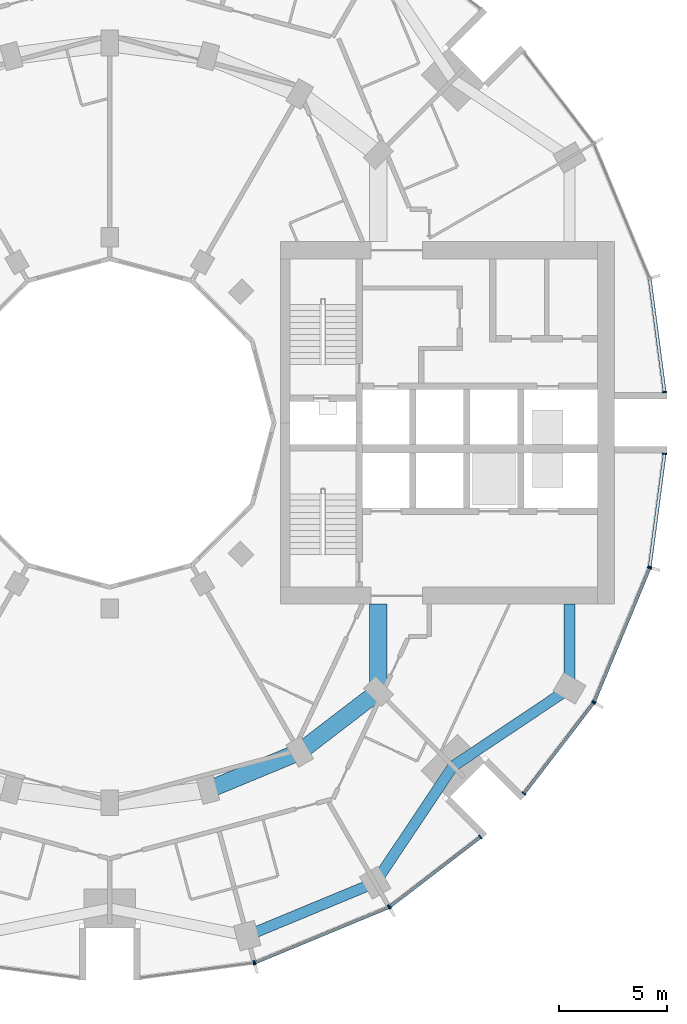
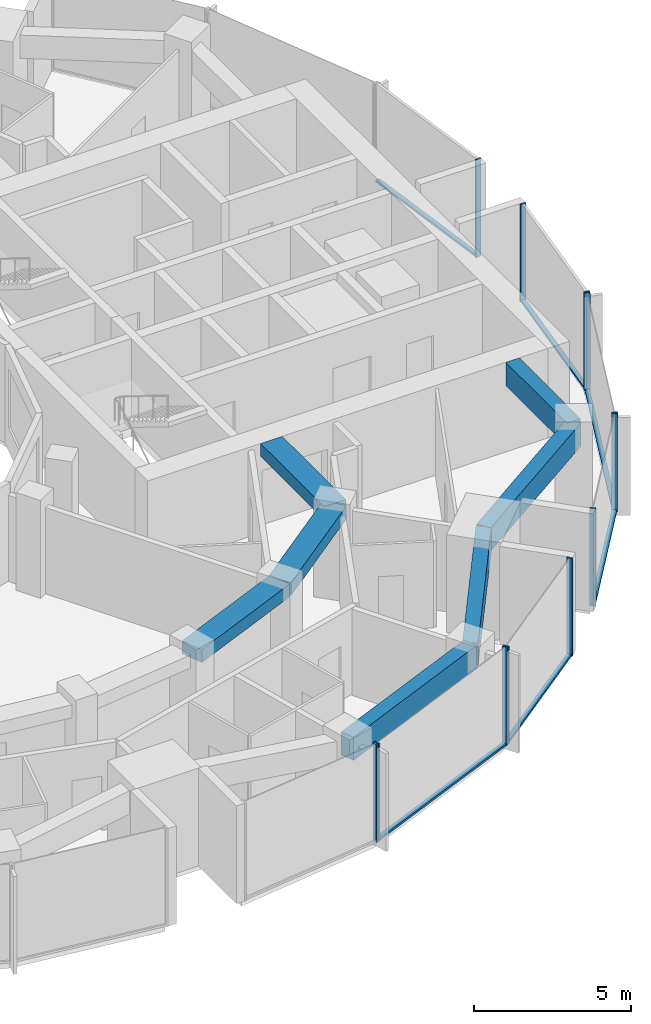
# One storey, part 4 of 15: 18 members, 7 beams, 7 elements without a shape of their own.
"""IFC4 building model written with IfcOpenShell, lengths in metres."""

import ifcopenshell
import ifcopenshell.guid

model = None  # the IFC model being written
_history = None  # IfcOwnerHistory: only IFC2X3 demands one
_inside = {}  # id of a spatial element -> (the spatial element, [elements in it])
_under = {}  # id of a project, library or spatial element -> (it, [spatial elements below it])
_declared = {}  # id of a project -> (the project, [libraries it declares])
_typed = {}  # id of a type object -> (the type object, [elements of that type])
_made_of = {}  # id of a material, layer set ... -> (it, [elements and type objects made of it])


def new_model(schema):
    """Start an empty IFC model of exactly this schema.

    Asked for "IFC4X3", IfcOpenShell would pick the latest addendum, in which some entities
    have other attributes; the version numbers below select the first issue.
    IFC2X3 requires an IfcOwnerHistory on every rooted entity: one is made here for all.
    """
    global model, _history
    if schema == "IFC4X3":
        model = ifcopenshell.file(schema_version=(4, 3, 0, 0))
    else:
        model = ifcopenshell.file(schema=schema)
    _inside.clear()
    _under.clear()
    _declared.clear()
    _typed.clear()
    _made_of.clear()
    _history = None
    if model.schema == "IFC2X3":
        org = make("IfcOrganization", Name="unknown")
        user = make(
            "IfcPersonAndOrganization",
            ThePerson=make("IfcPerson", FamilyName="unknown"),
            TheOrganization=org,
        )
        app = make(
            "IfcApplication",
            ApplicationDeveloper=org,
            Version="unknown",
            ApplicationFullName="unknown",
            ApplicationIdentifier="unknown",
        )
        _history = make(
            "IfcOwnerHistory",
            OwningUser=user,
            OwningApplication=app,
            ChangeAction="ADDED",
            CreationDate=0,
        )
    return model


def make(cls, **values):
    """One entity of the class cls with the attributes given. An attribute that is None is left unset."""
    return model.create_entity(
        cls, **{name: value for name, value in values.items() if value is not None}
    )


def rooted(cls, **values):
    """An entity with a GlobalId (a new one), such as an element, a storey or a relation."""
    return make(cls, GlobalId=ifcopenshell.guid.new(), OwnerHistory=_history, **values)


def si_unit(unit_type, name, prefix=None):
    """IfcSIUnit, for example si_unit("LENGTHUNIT", "METRE", prefix="MILLI")."""
    return make("IfcSIUnit", UnitType=unit_type, Prefix=prefix, Name=name)


def assignment(units):
    """IfcUnitAssignment: the units of a project."""
    return None if units is None else make("IfcUnitAssignment", Units=units)


def point(xyz):
    """IfcCartesianPoint."""
    return None if xyz is None else make("IfcCartesianPoint", Coordinates=xyz)


def direction(xyz):
    """IfcDirection."""
    return None if xyz is None else make("IfcDirection", DirectionRatios=xyz)


def frame(location, z_axis=None, x_axis=None):
    """IfcAxis2Placement3D, a coordinate frame: its origin and axes. An axis left out is left unset."""
    return make(
        "IfcAxis2Placement3D",
        Location=point(location),
        Axis=direction(z_axis),
        RefDirection=direction(x_axis),
    )


def frame_2d(location, x_axis=None):
    """IfcAxis2Placement2D, a coordinate frame in the plane: its origin and x axis."""
    return make(
        "IfcAxis2Placement2D", Location=point(location), RefDirection=direction(x_axis)
    )


def origin():
    """The frame at (0, 0, 0) with its axes left unset."""
    return frame((0.0, 0.0, 0.0))


def origin_2d():
    """The frame at (0, 0) in the plane with its x axis left unset."""
    return frame_2d((0.0, 0.0))


def place(relative_to, where):
    """IfcLocalPlacement: puts the frame where relative to a parent placement (None: the world)."""
    return make(
        "IfcLocalPlacement", PlacementRelTo=relative_to, RelativePlacement=where
    )


def context(
    kind, dimensions, precision=None, world=None, true_north=None, identifier=None
):
    """IfcGeometricRepresentationContext, for example the 3D "Model" context."""
    return make(
        "IfcGeometricRepresentationContext",
        ContextIdentifier=identifier,
        ContextType=kind,
        CoordinateSpaceDimension=dimensions,
        Precision=precision,
        WorldCoordinateSystem=world,
        TrueNorth=true_north,
    )


def subcontext(parent, identifier, kind, view, scale=None):
    """IfcGeometricRepresentationSubContext, for example "Body" below "Model"."""
    return make(
        "IfcGeometricRepresentationSubContext",
        ContextIdentifier=identifier,
        ContextType=kind,
        ParentContext=parent,
        TargetScale=scale,
        TargetView=view,
    )


def project(units=None, contexts=None):
    """IfcProject with its units and contexts."""
    return rooted(
        "IfcProject",
        Name="project",
        RepresentationContexts=contexts,
        UnitsInContext=assignment(units),
    )


def spatial(cls, under=None, at=None, **own):
    """A site, building, storey or space (cls), placed at a placement, below another one or the project."""
    s = rooted(cls, ObjectPlacement=at, **own)
    if under is not None:
        _under.setdefault(under.id(), (under, []))[1].append(s)
    return s


def profile(cls, at=None, kind="AREA", **sizes):
    """A parametric profile (cls). Its sizes go by their IFC names, for example OverallWidth=200.0."""
    return make(cls, ProfileType=kind, Position=at, **sizes)


def rectangle(**sizes):
    """IfcRectangleProfileDef."""
    return profile("IfcRectangleProfileDef", **sizes)


def extrude(swept, where, along, depth):
    """IfcExtrudedAreaSolid: the profile swept, set in the frame where, extruded along a direction by depth."""
    return make(
        "IfcExtrudedAreaSolid",
        SweptArea=swept,
        Position=where,
        ExtrudedDirection=direction(along),
        Depth=depth,
    )


def shape(context_of_items, identifier, shape_type, items):
    """IfcShapeRepresentation: the items that make up one representation, for example the "Body"."""
    return make(
        "IfcShapeRepresentation",
        ContextOfItems=context_of_items,
        RepresentationIdentifier=identifier,
        RepresentationType=shape_type,
        Items=items,
    )


def material(Name=None, Category=None):
    """IfcMaterial."""
    return make("IfcMaterial", Name=Name, Category=Category)


def layer(
    of_material, thickness, ventilated=None, Name=None, Category=None, Priority=None
):
    """IfcMaterialLayer: one layer of a wall or slab, of a material (None: an air gap)."""
    return make(
        "IfcMaterialLayer",
        Material=of_material,
        LayerThickness=thickness,
        IsVentilated=ventilated,
        Name=Name,
        Category=Category,
        Priority=Priority,
    )


def layer_set(layers, Name=None):
    """IfcMaterialLayerSet."""
    return make("IfcMaterialLayerSet", MaterialLayers=layers, LayerSetName=Name)


def material_profile(
    of_material, cross_section, Name=None, Category=None, Priority=None
):
    """IfcMaterialProfile: a cross section and its material."""
    return make(
        "IfcMaterialProfile",
        Name=Name,
        Material=of_material,
        Profile=cross_section,
        Priority=Priority,
        Category=Category,
    )


def profile_set(profiles, Name=None, composite=None):
    """IfcMaterialProfileSet."""
    return make(
        "IfcMaterialProfileSet",
        Name=Name,
        MaterialProfiles=profiles,
        CompositeProfile=composite,
    )


def made_of(thing, what):
    """Note that an element or type object is made of a material, layer set ...; save() writes the relation."""
    if what is not None:
        _made_of.setdefault(what.id(), (what, []))[1].append(thing)
    return thing


def type_object(cls, material=None, **own):
    """A type object (cls), such as IfcWallType, which elements share."""
    return made_of(rooted(cls, **own), material)


def element(
    cls,
    number,
    at=None,
    inside=None,
    cuts=None,
    type_object=None,
    material=None,
    context=None,
    identifier="Body",
    shape_type=None,
    held_by="IfcProductDefinitionShape",
    body=None,
    shapes=None,
    **own,
):
    """One element of the class cls, such as IfcWall. Its Tag is "e" and its number.

    at: its placement. inside: the storey or other place that contains it. cuts: it is an
    opening in that element (IfcRelVoidsElement). A single representation is given by context,
    identifier, shape_type and body (its items); several are given by shapes. held_by: the class
    of the entity that holds the representations. save() writes the other relations.
    """
    e = rooted(cls, Tag="e%d" % number, ObjectPlacement=at, **own)
    if body is not None:
        shapes = [shape(context, identifier, shape_type, body)]
    if shapes is not None:
        e.Representation = make(held_by, Representations=shapes)
    if inside is not None:
        _inside.setdefault(inside.id(), (inside, []))[1].append(e)
    if cuts is not None:
        rooted(
            "IfcRelVoidsElement", RelatingBuildingElement=cuts, RelatedOpeningElement=e
        )
    if type_object is not None:
        _typed.setdefault(type_object.id(), (type_object, []))[1].append(e)
    return made_of(e, material)


def aggregate(whole, parts):
    """IfcRelAggregates: a whole, such as a stair, and the parts it consists of."""
    return rooted("IfcRelAggregates", RelatingObject=whole, RelatedObjects=parts)


def save(model, path):
    """Write the relations noted so far, then the file.

    IfcRelAggregates (storeys below a building ...), IfcRelContainedInSpatialStructure (elements
    in a storey), IfcRelDefinesByType, IfcRelAssociatesMaterial and IfcRelDeclares: one each for
    every whole, place, type object, material and project.
    """
    for whole, parts in _under.values():
        aggregate(whole, parts)
    for where, things in _inside.values():
        rooted(
            "IfcRelContainedInSpatialStructure",
            RelatedElements=things,
            RelatingStructure=where,
        )
    for kind, things in _typed.values():
        rooted("IfcRelDefinesByType", RelatedObjects=things, RelatingType=kind)
    for what, things in _made_of.values():
        rooted("IfcRelAssociatesMaterial", RelatedObjects=things, RelatingMaterial=what)
    for by, libraries in _declared.values():
        rooted("IfcRelDeclares", RelatingContext=by, RelatedDefinitions=libraries)
    model.write(path)


model = new_model("IFC4")

# Units and contexts
model_context = context("Model", 3, precision=1e-05, world=origin(), true_north=direction((0.0, 1.0)))
body_context = subcontext(model_context, "Body", "Model", "MODEL_VIEW")
ifc_project = project(units=[si_unit("LENGTHUNIT", "METRE"), si_unit("AREAUNIT", "SQUARE_METRE"), si_unit("VOLUMEUNIT", "CUBIC_METRE"), si_unit("PLANEANGLEUNIT", "RADIAN"), si_unit("MASSUNIT", "GRAM", prefix="KILO")], contexts=[model_context])

# Site, building, storey
site_placement = place(None, origin())
site = spatial("IfcSite", under=ifc_project, at=site_placement, CompositionType="ELEMENT")
building_placement = place(site_placement, origin())
building = spatial("IfcBuilding", under=site, at=building_placement, Name="Torre Brocal", CompositionType="ELEMENT")
storey_placement = place(building_placement, frame((0.0, 0.0, 86.199951171875)))
storey = spatial("IfcBuildingStorey", under=building, at=storey_placement, Name="L19", CompositionType="ELEMENT", Elevation=86.199951171875)

# Curtain wall, member
ifc_material_1 = material(Name="Aluminium and glass", Category="aluminium")
ifc_layer_1 = layer(ifc_material_1, 0.199951171875)
ifc_layer_set_1 = layer_set([ifc_layer_1], Name="Aluminium and glass")
curtain_wall_type_1 = type_object("IfcCurtainWallType", Name="CW-1 CURTAIN WALL 3800 HIGH", PredefinedType="NOTDEFINED", material=ifc_layer_set_1)
curtain_wall_1_placement = place(storey_placement, origin())
curtain_wall_1 = element("IfcCurtainWall", 1, at=curtain_wall_1_placement, inside=storey, type_object=curtain_wall_type_1, Name="CW-1 RUN 19", PredefinedType="NOTDEFINED")
ifc_material_2 = material(Name="Aluminium, dark anodised", Category="aluminium")
ifc_material_profile_1 = material_profile(ifc_material_2, rectangle(XDim=0.199951171875, YDim=0.06005859375, at=origin_2d()), Name="CW-1 MULLION 60X200")
ifc_profile_set_1 = profile_set([ifc_material_profile_1], Name="Aluminium, dark anodised")
member_type_1 = type_object("IfcMemberType", Name="CW-1 MULLION 60X200", PredefinedType="MULLION", material=ifc_profile_set_1)
member_1_placement = place(storey_placement, frame((86.67333984375, 49.9794921875, 0.0), z_axis=(0.0, 0.0, 1.0), x_axis=(-0.13052619222, 0.991444861374, 0.0)))
member_1 = element("IfcMember", 2, at=member_1_placement, type_object=member_type_1, Name="CW1-1 mullion 2", PredefinedType="MULLION", context=body_context, shape_type="SweptSolid", body=[
    extrude(rectangle(XDim=0.199951171875, YDim=0.06005859375, at=origin_2d()), origin(), (0.0, 0.0, 1.0), 3.800048828125),
])
aggregate(curtain_wall_1, [member_1])

# Curtain wall, members
curtain_wall_2_placement = place(storey_placement, origin())
curtain_wall_2 = element("IfcCurtainWall", 3, at=curtain_wall_2_placement, inside=storey, type_object=curtain_wall_type_1, Name="CW-1 RUN 20", PredefinedType="NOTDEFINED")
member_2_placement = place(storey_placement, frame((86.73095703125, 49.994873046875, 0.0), z_axis=(0.0, 0.0, 1.0), x_axis=(-0.382683432333, 0.923879532525, 0.0)))
member_2 = element("IfcMember", 4, at=member_2_placement, type_object=member_type_1, Name="CW1-1 mullion 1", PredefinedType="MULLION", context=body_context, shape_type="SweptSolid", body=[
    extrude(rectangle(XDim=0.199951171875, YDim=0.06005859375, at=origin_2d()), origin(), (0.0, 0.0, 1.0), 3.800048828125),
])
member_3_placement = place(storey_placement, frame((92.921875, 52.559326171875, 0.0), z_axis=(0.0, 0.0, 1.0), x_axis=(-0.382683432333, 0.923879532525, 0.0)))
member_3 = element("IfcMember", 5, at=member_3_placement, type_object=member_type_1, Name="CW1-1 mullion 2", PredefinedType="MULLION", context=body_context, shape_type="SweptSolid", body=[
    extrude(rectangle(XDim=0.199951171875, YDim=0.06005859375, at=origin_2d()), origin(), (0.0, 0.0, 1.0), 3.800048828125),
])

curtain_wall_3_placement = place(storey_placement, origin())
curtain_wall_3 = element("IfcCurtainWall", 6, at=curtain_wall_3_placement, inside=storey, type_object=curtain_wall_type_1, Name="CW-1 RUN 21", PredefinedType="NOTDEFINED")
member_4_placement = place(storey_placement, frame((92.973388671875, 52.5888671875, 0.0), z_axis=(0.0, 0.0, 1.0), x_axis=(-0.60876142905, 0.793353340259, 0.0)))
member_4 = element("IfcMember", 7, at=member_4_placement, type_object=member_type_1, Name="CW1-1 mullion 1", PredefinedType="MULLION", context=body_context, shape_type="SweptSolid", body=[
    extrude(rectangle(XDim=0.199951171875, YDim=0.06005859375, at=origin_2d()), origin(), (0.0, 0.0, 1.0), 3.800048828125),
])
member_5_placement = place(storey_placement, frame((97.16943359375, 55.80859375, 0.0), z_axis=(0.0, 0.0, 1.0), x_axis=(-0.60876142905, 0.793353340259, 0.0)))
member_5 = element("IfcMember", 8, at=member_5_placement, type_object=member_type_1, Name="CW1-1 mullion 2", PredefinedType="MULLION", context=body_context, shape_type="SweptSolid", body=[
    extrude(rectangle(XDim=0.199951171875, YDim=0.06005859375, at=origin_2d()), origin(), (0.0, 0.0, 1.0), 3.800048828125),
])

curtain_wall_4_placement = place(storey_placement, origin())
curtain_wall_4 = element("IfcCurtainWall", 9, at=curtain_wall_4_placement, inside=storey, type_object=curtain_wall_type_1, Name="CW-1 RUN 22", PredefinedType="NOTDEFINED")
member_6_placement = place(storey_placement, frame((99.19140625, 57.83056640625, 0.0), z_axis=(0.0, 0.0, 1.0), x_axis=(-0.793353340259, 0.60876142905, 0.0)))
member_6 = element("IfcMember", 10, at=member_6_placement, type_object=member_type_1, Name="CW1-1 mullion 1", PredefinedType="MULLION", context=body_context, shape_type="SweptSolid", body=[
    extrude(rectangle(XDim=0.199951171875, YDim=0.06005859375, at=origin_2d()), origin(), (0.0, 0.0, 1.0), 3.800048828125),
])
member_7_placement = place(storey_placement, frame((102.4111328125, 62.026611328125, 0.0), z_axis=(0.0, 0.0, 1.0), x_axis=(-0.793353340259, 0.60876142905, 0.0)))
member_7 = element("IfcMember", 11, at=member_7_placement, type_object=member_type_1, Name="CW1-1 mullion 2", PredefinedType="MULLION", context=body_context, shape_type="SweptSolid", body=[
    extrude(rectangle(XDim=0.199951171875, YDim=0.06005859375, at=origin_2d()), origin(), (0.0, 0.0, 1.0), 3.800048828125),
])

curtain_wall_5_placement = place(storey_placement, origin())
curtain_wall_5 = element("IfcCurtainWall", 12, at=curtain_wall_5_placement, inside=storey, type_object=curtain_wall_type_1, Name="CW-1 RUN 23", PredefinedType="NOTDEFINED")
member_8_placement = place(storey_placement, frame((102.440673828125, 62.078125, 0.0), z_axis=(0.0, 0.0, 1.0), x_axis=(-0.923879532525, 0.382683432333, 0.0)))
member_8 = element("IfcMember", 13, at=member_8_placement, type_object=member_type_1, Name="CW1-1 mullion 1", PredefinedType="MULLION", context=body_context, shape_type="SweptSolid", body=[
    extrude(rectangle(XDim=0.199951171875, YDim=0.06005859375, at=origin_2d()), origin(), (0.0, 0.0, 1.0), 3.800048828125),
])
member_9_placement = place(storey_placement, frame((105.005126953125, 68.26904296875, 0.0), z_axis=(0.0, 0.0, 1.0), x_axis=(-0.923879532525, 0.382683432333, 0.0)))
member_9 = element("IfcMember", 14, at=member_9_placement, type_object=member_type_1, Name="CW1-1 mullion 2", PredefinedType="MULLION", context=body_context, shape_type="SweptSolid", body=[
    extrude(rectangle(XDim=0.199951171875, YDim=0.06005859375, at=origin_2d()), origin(), (0.0, 0.0, 1.0), 3.800048828125),
])

# Member
ifc_material_3 = material(Name="Aluminium, dark anodised", Category="aluminium")
ifc_material_profile_2 = material_profile(ifc_material_3, rectangle(XDim=0.159912109375, YDim=0.080078125, at=origin_2d()), Name="CW-1 TRANSOM 160X80")
ifc_profile_set_2 = profile_set([ifc_material_profile_2], Name="Aluminium, dark anodised")
member_type_2 = type_object("IfcMemberType", Name="CW-1 TRANSOM 160X80", PredefinedType="USERDEFINED", material=ifc_profile_set_2)
member_10_placement = place(storey_placement, frame((86.758544921875, 50.00634765625, 0.0400390625), z_axis=(0.923887344364, 0.38266457234, 0.0), x_axis=(-0.38266457234, 0.923887344364, 0.0)))
member_10 = element("IfcMember", 15, at=member_10_placement, type_object=member_type_2, Name="CW1-1 transom 1.1", ObjectType="TRANSOM", PredefinedType="USERDEFINED", context=body_context, shape_type="SweptSolid", body=[
    extrude(rectangle(XDim=0.159912109375, YDim=0.080078125, at=origin_2d()), origin(), (0.0, 0.0, 1.0), 6.640869140625),
])

aggregate(curtain_wall_2, [member_2, member_3, member_10])

member_11_placement = place(storey_placement, frame((92.9970703125, 52.607177734375, 0.0400390625), z_axis=(0.79336281513, 0.60874908096, 0.0), x_axis=(-0.60874908096, 0.79336281513, 0.0)))
member_11 = element("IfcMember", 16, at=member_11_placement, type_object=member_type_2, Name="CW1-1 transom 1.1", ObjectType="TRANSOM", PredefinedType="USERDEFINED", context=body_context, shape_type="SweptSolid", body=[
    extrude(rectangle(XDim=0.159912109375, YDim=0.080078125, at=origin_2d()), origin(), (0.0, 0.0, 1.0), 5.22900390625),
])

aggregate(curtain_wall_3, [member_4, member_5, member_11])

member_12_placement = place(storey_placement, frame((99.209716796875, 57.8544921875, 0.0400390625), z_axis=(0.60874908096, 0.79336281513, 0.0), x_axis=(-0.79336281513, 0.60874908096, 0.0)))
member_12 = element("IfcMember", 17, at=member_12_placement, type_object=member_type_2, Name="CW1-1 transom 1.1", ObjectType="TRANSOM", PredefinedType="USERDEFINED", context=body_context, shape_type="SweptSolid", body=[
    extrude(rectangle(XDim=0.159912109375, YDim=0.080078125, at=origin_2d()), origin(), (0.0, 0.0, 1.0), 5.22900390625),
])

aggregate(curtain_wall_4, [member_6, member_7, member_12])

member_13_placement = place(storey_placement, frame((102.452392578125, 62.10595703125, 0.0400390625), z_axis=(0.38266457234, 0.923887344364, 0.0), x_axis=(-0.923887344364, 0.38266457234, 0.0)))
member_13 = element("IfcMember", 18, at=member_13_placement, type_object=member_type_2, Name="CW1-1 transom 1.1", ObjectType="TRANSOM", PredefinedType="USERDEFINED", context=body_context, shape_type="SweptSolid", body=[
    extrude(rectangle(XDim=0.159912109375, YDim=0.080078125, at=origin_2d()), origin(), (0.0, 0.0, 1.0), 6.640869140625),
])

aggregate(curtain_wall_5, [member_8, member_9, member_13])

# Curtain wall, member
ifc_material_4 = material(Name="Aluminium and glass", Category="aluminium")
ifc_layer_2 = layer(ifc_material_4, 0.199951171875)
ifc_layer_set_2 = layer_set([ifc_layer_2], Name="Aluminium and glass")
curtain_wall_type_2 = type_object("IfcCurtainWallType", Name="CW-1B CURTAIN WALL 3800 HIGH", PredefinedType="NOTDEFINED", material=ifc_layer_set_2)
curtain_wall_6_placement = place(storey_placement, origin())
curtain_wall_6 = element("IfcCurtainWall", 19, at=curtain_wall_6_placement, inside=storey, type_object=curtain_wall_type_2, Name="CW-1B RUN 1", PredefinedType="NOTDEFINED")
ifc_material_5 = material(Name="Aluminium, dark anodised", Category="aluminium")
ifc_material_profile_3 = material_profile(ifc_material_5, rectangle(XDim=0.199951171875, YDim=0.06005859375, at=origin_2d()), Name="CW-1B MULLION 60X200")
ifc_profile_set_3 = profile_set([ifc_material_profile_3], Name="Aluminium, dark anodised")
member_type_3 = type_object("IfcMemberType", Name="CW-1B MULLION 60X200", PredefinedType="MULLION", material=ifc_profile_set_3)
member_14_placement = place(storey_placement, frame((105.7109375, 76.4296875, 0.0), z_axis=(0.0, 0.0, 1.0), x_axis=(-0.991444861374, -0.13052619222, 0.0)))
member_14 = element("IfcMember", 20, at=member_14_placement, type_object=member_type_3, Name="CW1B-1 mullion 1", PredefinedType="MULLION", context=body_context, shape_type="SweptSolid", body=[
    extrude(rectangle(XDim=0.199951171875, YDim=0.06005859375, at=origin_2d()), origin(), (0.0, 0.0, 1.0), 3.800048828125),
])

# Curtain wall, members
curtain_wall_7_placement = place(storey_placement, origin())
curtain_wall_7 = element("IfcCurtainWall", 21, at=curtain_wall_7_placement, inside=storey, type_object=curtain_wall_type_2, Name="CW-1B RUN 24", PredefinedType="NOTDEFINED")
member_15_placement = place(storey_placement, frame((105.0205078125, 68.32666015625, 0.0), z_axis=(0.0, 0.0, 1.0), x_axis=(-0.991444861374, 0.13052619222, 0.0)))
member_15 = element("IfcMember", 22, at=member_15_placement, type_object=member_type_3, Name="CW1B-1 mullion 1", PredefinedType="MULLION", context=body_context, shape_type="SweptSolid", body=[
    extrude(rectangle(XDim=0.199951171875, YDim=0.06005859375, at=origin_2d()), origin(), (0.0, 0.0, 1.0), 3.800048828125),
])
member_16_placement = place(storey_placement, frame((105.7109375, 73.5703125, 0.0), z_axis=(0.0, 0.0, 1.0), x_axis=(-0.991444861374, 0.13052619222, 0.0)))
member_16 = element("IfcMember", 23, at=member_16_placement, type_object=member_type_3, Name="CW1B-1 mullion 2", PredefinedType="MULLION", context=body_context, shape_type="SweptSolid", body=[
    extrude(rectangle(XDim=0.199951171875, YDim=0.06005859375, at=origin_2d()), origin(), (0.0, 0.0, 1.0), 3.800048828125),
])

# Member
ifc_material_6 = material(Name="Aluminium, dark anodised", Category="aluminium")
ifc_material_profile_4 = material_profile(ifc_material_6, rectangle(XDim=0.159912109375, YDim=0.080078125, at=origin_2d()), Name="CW-1B TRANSOM 160X80")
ifc_profile_set_4 = profile_set([ifc_material_profile_4], Name="Aluminium, dark anodised")
member_type_4 = type_object("IfcMemberType", Name="CW-1B TRANSOM 160X80", PredefinedType="USERDEFINED", material=ifc_profile_set_4)
member_17_placement = place(storey_placement, frame((105.70703125, 76.45947265625, 0.0400390625), z_axis=(-0.130542677827, 0.991442690863, 0.0), x_axis=(-0.991442690863, -0.130542677827, 0.0)))
member_17 = element("IfcMember", 24, at=member_17_placement, type_object=member_type_4, Name="CW1B-1 transom 1.1", ObjectType="TRANSOM", PredefinedType="USERDEFINED", context=body_context, shape_type="SweptSolid", body=[
    extrude(rectangle(XDim=0.159912109375, YDim=0.080078125, at=origin_2d()), origin(), (0.0, 0.0, 1.0), 5.22900390625),
])

aggregate(curtain_wall_6, [member_14, member_17])

member_18_placement = place(storey_placement, frame((105.0244140625, 68.356201171875, 0.0400390625), z_axis=(0.130542677827, 0.991442690863, 0.0), x_axis=(-0.991442690863, 0.130542677827, 0.0)))
member_18 = element("IfcMember", 25, at=member_18_placement, type_object=member_type_4, Name="CW1B-1 transom 1.1", ObjectType="TRANSOM", PredefinedType="USERDEFINED", context=body_context, shape_type="SweptSolid", body=[
    extrude(rectangle(XDim=0.159912109375, YDim=0.080078125, at=origin_2d()), origin(), (0.0, 0.0, 1.0), 5.22900390625),
])

aggregate(curtain_wall_7, [member_15, member_16, member_18])

# Beams
ifc_material_7 = material(Name="Concrete C50", Category="concrete")
ifc_material_profile_5 = material_profile(ifc_material_7, rectangle(XDim=0.800048828125, YDim=0.5, at=origin_2d()), Name="RC 800X500")
ifc_profile_set_5 = profile_set([ifc_material_profile_5], Name="Concrete C50")
beam_type_1 = type_object("IfcBeamType", Name="RC BEAM 800X500 C50 TOP 3480", PredefinedType="BEAM", material=ifc_profile_set_5)
beam_1_placement = place(storey_placement, frame((84.55517578125, 57.999755859375, 3.22998046875), z_axis=(0.923878240166, 0.382686552348, 0.0), x_axis=(-0.382686552348, 0.923878240166, 0.0)))
element("IfcBeam", 26, at=beam_1_placement, inside=storey, type_object=beam_type_1, Name="Beam BT-19", PredefinedType="BEAM", context=body_context, shape_type="SweptSolid", body=[
    extrude(rectangle(XDim=0.800048828125, YDim=0.5, at=origin_2d()), origin(), (0.0, 0.0, 1.0), 4.5947265625),
])
beam_2_placement = place(storey_placement, frame((88.800048828125, 59.758056640625, 3.22998046875), z_axis=(0.793358265959, 0.6087550097, 0.0), x_axis=(-0.6087550097, 0.793358265959, 0.0)))
element("IfcBeam", 27, at=beam_2_placement, inside=storey, type_object=beam_type_1, Name="Beam BT-19", PredefinedType="BEAM", context=body_context, shape_type="SweptSolid", body=[
    extrude(rectangle(XDim=0.800048828125, YDim=0.5, at=origin_2d()), origin(), (0.0, 0.0, 1.0), 4.594482421875),
])
beam_3_placement = place(storey_placement, frame((92.445068359375, 62.554931640625, 3.22998046875), z_axis=(0.0, 1.0, 0.0), x_axis=(-1.0, 0.0, 0.0)))
element("IfcBeam", 28, at=beam_3_placement, inside=storey, type_object=beam_type_1, Name="Beam BT-19", PredefinedType="BEAM", context=body_context, shape_type="SweptSolid", body=[
    extrude(rectangle(XDim=0.800048828125, YDim=0.5, at=origin_2d()), origin(), (0.0, 0.0, 1.0), 4.045166015625),
])
ifc_material_8 = material(Name="Concrete C50", Category="concrete")
ifc_material_profile_6 = material_profile(ifc_material_8, rectangle(XDim=0.5, YDim=0.89990234375, at=origin_2d()), Name="RC 500X900")
ifc_profile_set_6 = profile_set([ifc_material_profile_6], Name="Concrete C50")
beam_type_2 = type_object("IfcBeamType", Name="RC SPANDREL BEAM 500X900 C50 TOP 3480", PredefinedType="SPANDREL", material=ifc_profile_set_6)
beam_4_placement = place(storey_placement, frame((86.366943359375, 51.23828125, 3.030029296875), z_axis=(0.923882462513, 0.382676358639, 0.0), x_axis=(-0.382676358639, 0.923882462513, 0.0)))
element("IfcBeam", 29, at=beam_4_placement, inside=storey, type_object=beam_type_2, Name="Beam BT-20", PredefinedType="SPANDREL", context=body_context, shape_type="SweptSolid", body=[
    extrude(rectangle(XDim=0.5, YDim=0.89990234375, at=origin_2d()), origin(), (0.0, 0.0, 1.0), 6.421875),
])
for number, where, z_axis, x_axis, name in (
    (30, (92.300048828125, 53.69580078125, 3.030029296875), (0.556157602282, 0.831076844476, 0.0), (-0.831076844476, 0.556157602282, 0.0), "Beam BT-20"),
    (31, (95.909912109375, 59.090087890625, 3.030029296875), (0.831076844476, 0.556157602282, 0.0), (-0.556157602282, 0.831076844476, 0.0), "Beam BT-20"),
):
    element("IfcBeam", number, at=place(storey_placement, frame(where, z_axis=z_axis, x_axis=x_axis)), inside=storey, type_object=beam_type_2, Name=name, PredefinedType="SPANDREL", context=body_context, shape_type="SweptSolid", body=[
        extrude(rectangle(XDim=0.5, YDim=0.89990234375, at=origin_2d()), origin(), (0.0, 0.0, 1.0), 6.49072265625),
    ])
beam_5_placement = place(storey_placement, frame((101.30419921875, 62.699951171875, 3.030029296875), z_axis=(0.0, 1.0, 0.0), x_axis=(-1.0, 0.0, 0.0)))
element("IfcBeam", 32, at=beam_5_placement, inside=storey, type_object=beam_type_2, Name="Beam BT-20", PredefinedType="SPANDREL", context=body_context, shape_type="SweptSolid", body=[
    extrude(rectangle(XDim=0.5, YDim=0.89990234375, at=origin_2d()), origin(), (0.0, 0.0, 1.0), 3.900146484375),
])

save(model, "model.ifc")
